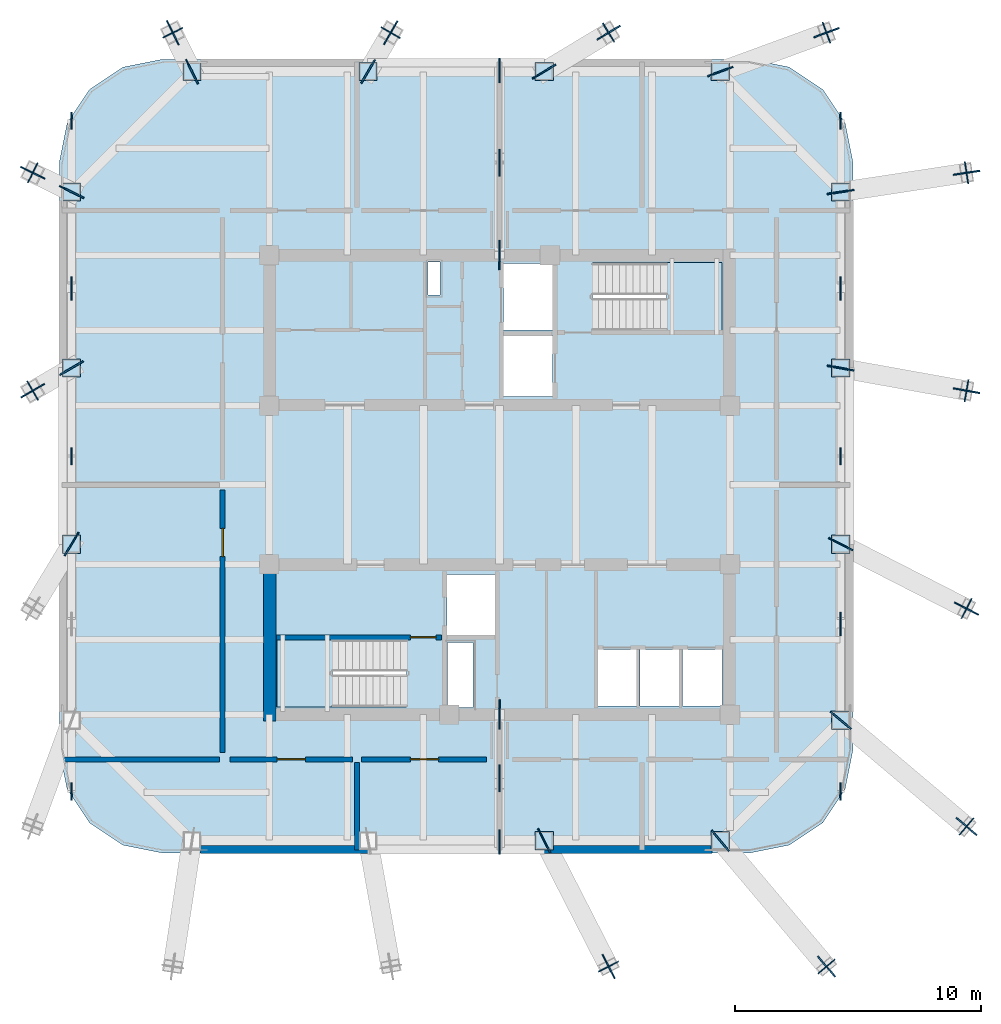
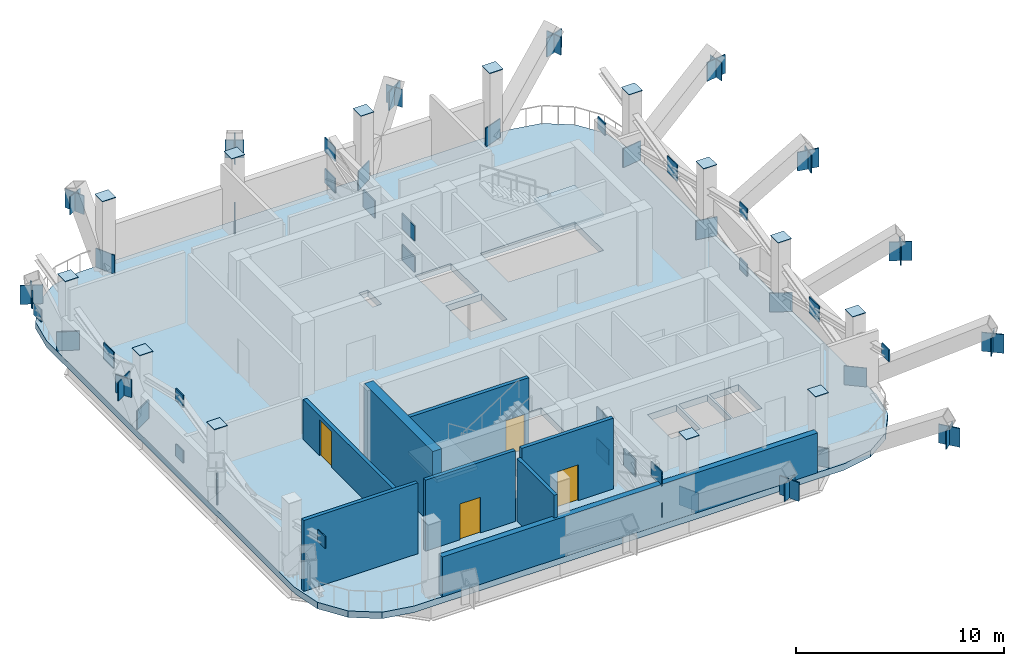
# One storey, part 3 of 9: 71 plates, 8 walls, 4 doors, 3 slabs, 4 openings, 2 elements without a shape of their own.
"""IFC4 building model written with IfcOpenShell, lengths in metres."""

from ifc_helpers import new_model, si_unit, direction, frame, frame_2d, origin, origin_2d, place, context, subcontext, project, spatial, polyline, rectangle, outline, extrude, material, layer, layer_set, type_object, element, fill, aggregate, save


model = new_model("IFC4")

# Units and contexts
model_context = context("Model", 3, precision=1e-05, world=origin(), true_north=direction((0.0, 1.0)))
body_context = subcontext(model_context, "Body", "Model", "MODEL_VIEW")
ifc_project = project(units=[si_unit("LENGTHUNIT", "METRE"), si_unit("AREAUNIT", "SQUARE_METRE"), si_unit("VOLUMEUNIT", "CUBIC_METRE"), si_unit("PLANEANGLEUNIT", "RADIAN"), si_unit("MASSUNIT", "GRAM", prefix="KILO")], contexts=[model_context])

# Site, building, storey
site_placement = place(None, origin())
site = spatial("IfcSite", under=ifc_project, at=site_placement, CompositionType="ELEMENT")
building_placement = place(site_placement, origin())
building = spatial("IfcBuilding", under=site, at=building_placement, Name="Qhalaya Broadcast Tower", CompositionType="ELEMENT")
storey_placement = place(building_placement, frame((0.0, 0.0, 195.14990234375)))
storey = spatial("IfcBuildingStorey", under=building, at=storey_placement, Name="L57", CompositionType="ELEMENT", Elevation=195.14990234375)

# Plates
ifc_material_1 = material(Name="Structural Steel ASTM A572 Grade 50", Category="steel")
ifc_layer_1 = layer(ifc_material_1, 0.054931640625, Name="Structural Steel ASTM A572 Grade 50")
ifc_layer_set_1 = layer_set([ifc_layer_1], Name="Structural Steel ASTM A572 Grade 50")
plate_type_1 = type_object("IfcPlateType", Name="Exoskeleton Diamond Node Gusset Plate NP-01", PredefinedType="USERDEFINED", material=ifc_layer_set_1)
for number, where, z_axis, x_axis, name in (
    (1, (1.813232421875, -13.8798828125, 0.0), (0.0, 0.0, 1.0), (0.455544907234, -0.890212804611, 0.0), "L57 Strut Foot Gusset Plate 03"),
    (2, (4.433349609375, -19.0, 2.800048828125), (0.0, 0.0, 1.0), (0.455544907234, -0.890212804611, 0.0), "L57 Strut Head Gusset Plate 03"),
    (3, (8.97998046875, -13.8798828125, 0.0), (0.0, 0.0, 1.0), (0.644870944213, -0.764291479286, 0.0), "L57 Strut Foot Gusset Plate 04"),
    (4, (13.300048828125, -19.0, 2.800048828125), (0.0, 0.0, 1.0), (0.644870944213, -0.764291479286, 0.0), "L57 Strut Head Gusset Plate 04"),
    (5, (13.8798828125, -8.97998046875, 0.0), (0.0, 0.0, 1.0), (0.764291479286, -0.644870944213, 0.0), "L57 Strut Foot Gusset Plate 05"),
    (6, (19.0, -13.300048828125, 2.800048828125), (0.0, 0.0, 1.0), (0.764291479286, -0.644870944213, 0.0), "L57 Strut Head Gusset Plate 05"),
    (7, (13.8798828125, -1.813232421875, 0.0), (0.0, 0.0, 1.0), (0.890212804611, -0.455544907234, 0.0), "L57 Strut Foot Gusset Plate 06"),
    (8, (19.0, -4.433349609375, 2.800048828125), (0.0, 0.0, 1.0), (0.890212804611, -0.455544907234, 0.0), "L57 Strut Head Gusset Plate 06"),
    (9, (13.8798828125, 5.353271484375, 0.0), (0.0, 0.0, 1.0), (0.984235761889, -0.176861428863, 0.0), "L57 Strut Foot Gusset Plate 07"),
    (10, (19.0, 4.433349609375, 2.800048828125), (0.0, 0.0, 1.0), (0.984235761889, -0.176861428863, 0.0), "L57 Strut Head Gusset Plate 07"),
    (11, (13.8798828125, 12.52001953125, 0.0), (0.0, 0.0, 1.0), (0.988593989373, 0.150605193055, 0.0), "L57 Strut Foot Gusset Plate 08"),
    (12, (19.0, 13.300048828125, 2.800048828125), (0.0, 0.0, 1.0), (0.988593989373, 0.150605193055, 0.0), "L57 Strut Head Gusset Plate 08"),
    (13, (8.97998046875, 17.419921875, 0.0), (0.0, 0.0, 1.0), (0.939154217723, 0.343495786485, 0.0), "L57 Strut Foot Gusset Plate 09"),
    (14, (13.300048828125, 19.0, 2.800048828125), (0.0, 0.0, 1.0), (0.939154217723, 0.343495786485, 0.0), "L57 Strut Head Gusset Plate 09"),
    (15, (1.813232421875, 17.419921875, 0.0), (0.0, 0.0, 1.0), (0.856339197912, 0.516413766393, 0.0), "L57 Strut Foot Gusset Plate 10"),
    (16, (4.433349609375, 19.0, 2.800048828125), (0.0, 0.0, 1.0), (0.856339197912, 0.516413766393, 0.0), "L57 Strut Head Gusset Plate 10"),
    (17, (-5.353271484375, 17.419921875, 0.0), (0.0, 0.0, 1.0), (0.503185866209, 0.864178213129, 0.0), "L57 Strut Foot Gusset Plate 11"),
    (18, (-4.433349609375, 19.0, 2.800048828125), (0.0, 0.0, 1.0), (0.503185866209, 0.864178213129, 0.0), "L57 Strut Head Gusset Plate 11"),
    (19, (-12.52001953125, 17.419921875, 0.0), (0.0, 0.0, 1.0), (-0.442664332582, 0.896687397402, 0.0), "L57 Strut Foot Gusset Plate 12"),
    (20, (-13.300048828125, 19.0, 2.800048828125), (0.0, 0.0, 1.0), (-0.442664332582, 0.896687397402, 0.0), "L57 Strut Head Gusset Plate 12"),
    (21, (-17.419921875, 12.52001953125, 0.0), (0.0, 0.0, 1.0), (-0.896687397402, 0.442664332582, 0.0), "L57 Strut Foot Gusset Plate 13"),
    (22, (-19.0, 13.300048828125, 2.800048828125), (0.0, 0.0, 1.0), (-0.896687397402, 0.442664332582, 0.0), "L57 Strut Head Gusset Plate 13"),
    (23, (-17.419921875, 5.353271484375, 0.0), (0.0, 0.0, 1.0), (-0.864178213129, -0.503185866209, 0.0), "L57 Strut Foot Gusset Plate 14"),
    (24, (-19.0, 4.433349609375, 2.800048828125), (0.0, 0.0, 1.0), (-0.864178213129, -0.503185866209, 0.0), "L57 Strut Head Gusset Plate 14"),
    (25, (-17.419921875, -1.813232421875, 0.0), (0.0, 0.0, 1.0), (-0.516413766393, -0.856339197912, 0.0), "L57 Strut Foot Gusset Plate 15"),
):
    element("IfcPlate", number, at=place(storey_placement, frame(where, z_axis=z_axis, x_axis=x_axis)), inside=storey, type_object=plate_type_1, Name=name, ObjectType="GUSSET_PLATE", PredefinedType="USERDEFINED", context=body_context, shape_type="SweptSolid", body=[
        extrude(rectangle(XDim=1.10009765625, YDim=0.06005859375, at=origin_2d()), origin(), (0.0, 0.0, 1.0), 1.10009765625),
    ])
ifc_layer_2 = layer(ifc_material_1, 0.4599609375, Name="Structural Steel ASTM A572 Grade 50")
ifc_layer_set_2 = layer_set([ifc_layer_2], Name="Structural Steel ASTM A572 Grade 50")
plate_type_2 = type_object("IfcPlateType", Name="Hollow Box Member End Cap Plate CP-01", PredefinedType="USERDEFINED", material=ifc_layer_set_2)
for number, where, z_axis, x_axis, name in (
    (26, (1.813232421875, -13.8798828125, 4.35009765625), (0.0, 0.0, 1.0), (1.0, 0.0, 0.0), "L57 Hollow Box Column Top Cap Plate COL-NK03"),
    (27, (8.97998046875, -13.8798828125, 4.35009765625), (0.0, 0.0, 1.0), (1.0, 0.0, 0.0), "L57 Hollow Box Column Top Cap Plate COL-NK04"),
    (28, (13.8798828125, -8.97998046875, 4.35009765625), (0.0, 0.0, 1.0), (0.0, 1.0, 0.0), "L57 Hollow Box Column Top Cap Plate COL-NK05"),
    (29, (13.8798828125, -1.813232421875, 4.35009765625), (0.0, 0.0, 1.0), (0.0, 1.0, 0.0), "L57 Hollow Box Column Top Cap Plate COL-NK06"),
    (30, (13.8798828125, 5.353271484375, 4.35009765625), (0.0, 0.0, 1.0), (0.0, 1.0, 0.0), "L57 Hollow Box Column Top Cap Plate COL-NK07"),
    (31, (13.8798828125, 12.52001953125, 4.35009765625), (0.0, 0.0, 1.0), (0.0, 1.0, 0.0), "L57 Hollow Box Column Top Cap Plate COL-NK08"),
    (32, (8.97998046875, 17.419921875, 4.35009765625), (0.0, 0.0, 1.0), (1.0, 0.0, 0.0), "L57 Hollow Box Column Top Cap Plate COL-NK09"),
    (33, (1.813232421875, 17.419921875, 4.35009765625), (0.0, 0.0, 1.0), (1.0, 0.0, 0.0), "L57 Hollow Box Column Top Cap Plate COL-NK10"),
    (34, (-5.353271484375, 17.419921875, 4.35009765625), (0.0, 0.0, 1.0), (1.0, 0.0, 0.0), "L57 Hollow Box Column Top Cap Plate COL-NK11"),
    (35, (-12.52001953125, 17.419921875, 4.35009765625), (0.0, 0.0, 1.0), (1.0, 0.0, 0.0), "L57 Hollow Box Column Top Cap Plate COL-NK12"),
    (36, (-17.419921875, 12.52001953125, 4.35009765625), (0.0, 0.0, 1.0), (0.0, 1.0, 0.0), "L57 Hollow Box Column Top Cap Plate COL-NK13"),
    (37, (-17.419921875, 5.353271484375, 4.35009765625), (0.0, 0.0, 1.0), (0.0, 1.0, 0.0), "L57 Hollow Box Column Top Cap Plate COL-NK14"),
    (38, (-17.419921875, -1.813232421875, 4.35009765625), (0.0, 0.0, 1.0), (0.0, 1.0, 0.0), "L57 Hollow Box Column Top Cap Plate COL-NK15"),
):
    element("IfcPlate", number, at=place(storey_placement, frame(where, z_axis=z_axis, x_axis=x_axis)), inside=storey, type_object=plate_type_2, Name=name, ObjectType="COVER_PLATE", PredefinedType="USERDEFINED", context=body_context, shape_type="SweptSolid", body=[
        extrude(rectangle(XDim=0.739990234375, YDim=0.739990234375, at=origin_2d()), origin(), (0.0, 0.0, 1.0), 0.031982421875),
    ])
ifc_layer_3 = layer(ifc_material_1, 0.06005859375, Name="Structural Steel ASTM A572 Grade 50")
ifc_layer_set_3 = layer_set([ifc_layer_3], Name="Structural Steel ASTM A572 Grade 50")
plate_type_3 = type_object("IfcPlateType", Name="Outrigger Core Embed Gusset Plate NP-02", PredefinedType="USERDEFINED", material=ifc_layer_set_3)
for number, where, z_axis, x_axis, name in (
    (39, (0.0, 9.949951171875, 0.400146484375), (0.0, 0.0, 1.0), (0.0, 1.0, 0.0), "L57 Outrigger Gusset Node NC-C0"),
    (40, (0.0, 9.949951171875, 2.230224609375), (0.0, 0.0, 1.0), (0.0, 1.0, 0.0), "L57 Outrigger Gusset Node NC-C1"),
):
    element("IfcPlate", number, at=place(storey_placement, frame(where, z_axis=z_axis, x_axis=x_axis)), inside=storey, type_object=plate_type_3, Name=name, ObjectType="GUSSET_PLATE", PredefinedType="USERDEFINED", context=body_context, shape_type="SweptSolid", body=[
        extrude(rectangle(XDim=1.199951171875, YDim=0.06005859375, at=origin_2d()), origin(), (0.0, 0.0, 1.0), 0.89990234375),
    ])
plate_1_placement = place(storey_placement, frame((0.0, 13.7099609375, 1.26513671875), z_axis=(0.0, 0.0, 1.0), x_axis=(0.0, 1.0, 0.0)))
element("IfcPlate", 41, at=plate_1_placement, inside=storey, type_object=plate_type_3, Name="L57 Outrigger Gusset Node NC-XM", ObjectType="GUSSET_PLATE", PredefinedType="USERDEFINED", context=body_context, shape_type="SweptSolid", body=[
    extrude(rectangle(XDim=1.10009765625, YDim=0.06005859375, at=origin_2d()), origin(), (0.0, 0.0, 1.0), 1.0),
])
for number, where, z_axis, x_axis, name in (
    (42, (0.0, 17.469970703125, 0.425048828125), (0.0, 0.0, 1.0), (0.0, 1.0, 0.0), "L57 Outrigger Gusset Node NC-P0"),
    (43, (0.0, 17.469970703125, 2.255126953125), (0.0, 0.0, 1.0), (0.0, 1.0, 0.0), "L57 Outrigger Gusset Node NC-P1"),
):
    element("IfcPlate", number, at=place(storey_placement, frame(where, z_axis=z_axis, x_axis=x_axis)), inside=storey, type_object=plate_type_3, Name=name, ObjectType="GUSSET_PLATE", PredefinedType="USERDEFINED", context=body_context, shape_type="SweptSolid", body=[
        extrude(rectangle(XDim=1.0, YDim=0.06005859375, at=origin_2d()), origin(), (0.0, 0.0, 1.0), 0.85009765625),
    ])
for number, where, z_axis, x_axis, name in (
    (44, (0.0, -8.75, 0.400146484375), (0.0, 0.0, 1.0), (0.0, -1.0, 0.0), "L57 Outrigger Gusset Node SC-C0"),
    (45, (0.0, -8.75, 2.230224609375), (0.0, 0.0, 1.0), (0.0, -1.0, 0.0), "L57 Outrigger Gusset Node SC-C1"),
):
    element("IfcPlate", number, at=place(storey_placement, frame(where, z_axis=z_axis, x_axis=x_axis)), inside=storey, type_object=plate_type_3, Name=name, ObjectType="GUSSET_PLATE", PredefinedType="USERDEFINED", context=body_context, shape_type="SweptSolid", body=[
        extrude(rectangle(XDim=1.199951171875, YDim=0.06005859375, at=origin_2d()), origin(), (0.0, 0.0, 1.0), 0.89990234375),
    ])
plate_2_placement = place(storey_placement, frame((0.0, -11.340087890625, 1.26513671875), z_axis=(0.0, 0.0, 1.0), x_axis=(0.0, -1.0, 0.0)))
element("IfcPlate", 46, at=plate_2_placement, inside=storey, type_object=plate_type_3, Name="L57 Outrigger Gusset Node SC-XM", ObjectType="GUSSET_PLATE", PredefinedType="USERDEFINED", context=body_context, shape_type="SweptSolid", body=[
    extrude(rectangle(XDim=1.10009765625, YDim=0.06005859375, at=origin_2d()), origin(), (0.0, 0.0, 1.0), 1.0),
])
for number, where, z_axis, x_axis, name in (
    (47, (0.0, -13.929931640625, 0.425048828125), (0.0, 0.0, 1.0), (0.0, -1.0, 0.0), "L57 Outrigger Gusset Node SC-P0"),
    (48, (0.0, -13.929931640625, 2.255126953125), (0.0, 0.0, 1.0), (0.0, -1.0, 0.0), "L57 Outrigger Gusset Node SC-P1"),
):
    element("IfcPlate", number, at=place(storey_placement, frame(where, z_axis=z_axis, x_axis=x_axis)), inside=storey, type_object=plate_type_3, Name=name, ObjectType="GUSSET_PLATE", PredefinedType="USERDEFINED", context=body_context, shape_type="SweptSolid", body=[
        extrude(rectangle(XDim=1.0, YDim=0.06005859375, at=origin_2d()), origin(), (0.0, 0.0, 1.0), 0.85009765625),
    ])
for number, where, z_axis, x_axis, name in (
    (49, (-17.419921875, -11.8798828125, 3.3603515625), (0.0, 0.0, 1.0), (0.0, 1.0, 0.0), "L57 Belt Truss End Gusset W1-B1T"),
    (50, (-17.419921875, 1.77001953125, 0.10009765625), (0.0, 0.0, 1.0), (0.0, 1.0, 0.0), "L57 Belt Truss End Gusset W1-B2B"),
):
    element("IfcPlate", number, at=place(storey_placement, frame(where, z_axis=z_axis, x_axis=x_axis)), inside=storey, type_object=plate_type_3, Name=name, ObjectType="GUSSET_PLATE", PredefinedType="USERDEFINED", context=body_context, shape_type="SweptSolid", body=[
        extrude(rectangle(XDim=0.699951171875, YDim=0.06005859375, at=origin_2d()), origin(), (0.0, 0.0, 1.0), 0.699951171875),
    ])
plate_3_placement = place(storey_placement, frame((-17.419921875, 8.594970703125, 1.60498046875), z_axis=(0.0, 0.0, 1.0), x_axis=(0.0, 1.0, 0.0)))
element("IfcPlate", 51, at=plate_3_placement, inside=storey, type_object=plate_type_3, Name="L57 Belt Truss X-Crossing Gusset W2", ObjectType="GUSSET_PLATE", PredefinedType="USERDEFINED", context=body_context, shape_type="SweptSolid", body=[
    extrude(rectangle(XDim=0.949951171875, YDim=0.06005859375, at=origin_2d()), origin(), (0.0, 0.0, 1.0), 0.949951171875),
])
for number, where, z_axis, x_axis, name in (
    (52, (-17.419921875, 1.77001953125, 3.3603515625), (0.0, 0.0, 1.0), (0.0, 1.0, 0.0), "L57 Belt Truss End Gusset W2-B1T"),
    (53, (-17.419921875, 15.419921875, 0.10009765625), (0.0, 0.0, 1.0), (0.0, 1.0, 0.0), "L57 Belt Truss End Gusset W2-B2B"),
):
    element("IfcPlate", number, at=place(storey_placement, frame(where, z_axis=z_axis, x_axis=x_axis)), inside=storey, type_object=plate_type_3, Name=name, ObjectType="GUSSET_PLATE", PredefinedType="USERDEFINED", context=body_context, shape_type="SweptSolid", body=[
        extrude(rectangle(XDim=0.699951171875, YDim=0.06005859375, at=origin_2d()), origin(), (0.0, 0.0, 1.0), 0.699951171875),
    ])
plate_4_placement = place(storey_placement, frame((13.8798828125, -5.054931640625, 1.60498046875), z_axis=(0.0, 0.0, 1.0), x_axis=(0.0, 1.0, 0.0)))
element("IfcPlate", 54, at=plate_4_placement, inside=storey, type_object=plate_type_3, Name="L57 Belt Truss X-Crossing Gusset E1", ObjectType="GUSSET_PLATE", PredefinedType="USERDEFINED", context=body_context, shape_type="SweptSolid", body=[
    extrude(rectangle(XDim=0.949951171875, YDim=0.06005859375, at=origin_2d()), origin(), (0.0, 0.0, 1.0), 0.949951171875),
])
for number, where, z_axis, x_axis, name in (
    (55, (13.8798828125, -11.8798828125, 3.3603515625), (0.0, 0.0, 1.0), (0.0, 1.0, 0.0), "L57 Belt Truss End Gusset E1-B1T"),
    (56, (13.8798828125, 1.77001953125, 0.10009765625), (0.0, 0.0, 1.0), (0.0, 1.0, 0.0), "L57 Belt Truss End Gusset E1-B2B"),
):
    element("IfcPlate", number, at=place(storey_placement, frame(where, z_axis=z_axis, x_axis=x_axis)), inside=storey, type_object=plate_type_3, Name=name, ObjectType="GUSSET_PLATE", PredefinedType="USERDEFINED", context=body_context, shape_type="SweptSolid", body=[
        extrude(rectangle(XDim=0.699951171875, YDim=0.06005859375, at=origin_2d()), origin(), (0.0, 0.0, 1.0), 0.699951171875),
    ])
plate_5_placement = place(storey_placement, frame((13.8798828125, 8.594970703125, 1.60498046875), z_axis=(0.0, 0.0, 1.0), x_axis=(0.0, 1.0, 0.0)))
element("IfcPlate", 57, at=plate_5_placement, inside=storey, type_object=plate_type_3, Name="L57 Belt Truss X-Crossing Gusset E2", ObjectType="GUSSET_PLATE", PredefinedType="USERDEFINED", context=body_context, shape_type="SweptSolid", body=[
    extrude(rectangle(XDim=0.949951171875, YDim=0.06005859375, at=origin_2d()), origin(), (0.0, 0.0, 1.0), 0.949951171875),
])
for number, where, z_axis, x_axis, name in (
    (58, (13.8798828125, 1.77001953125, 3.3603515625), (0.0, 0.0, 1.0), (0.0, 1.0, 0.0), "L57 Belt Truss End Gusset E2-B1T"),
    (59, (13.8798828125, 15.419921875, 0.10009765625), (0.0, 0.0, 1.0), (0.0, 1.0, 0.0), "L57 Belt Truss End Gusset E2-B2B"),
):
    element("IfcPlate", number, at=place(storey_placement, frame(where, z_axis=z_axis, x_axis=x_axis)), inside=storey, type_object=plate_type_3, Name=name, ObjectType="GUSSET_PLATE", PredefinedType="USERDEFINED", context=body_context, shape_type="SweptSolid", body=[
        extrude(rectangle(XDim=0.699951171875, YDim=0.06005859375, at=origin_2d()), origin(), (0.0, 0.0, 1.0), 0.699951171875),
    ])

# Stair, slab
ifc_material_2 = material(Name="Concrete C40/50", Category="concrete")
stair_type = type_object("IfcStairType", Name="Protected Dogleg Core Stair 4200", PredefinedType="TWO_STRAIGHT_RUN_STAIR", material=ifc_material_2)
stair_1_placement = place(storey_placement, origin())
stair_1 = element("IfcStair", 60, at=stair_1_placement, inside=storey, type_object=stair_type, Name="L57 North Core Exit Stair ST-1", PredefinedType="TWO_STRAIGHT_RUN_STAIR")
ifc_layer_4 = layer(ifc_material_2, 0.199951171875, Name="Concrete C40/50")
ifc_layer_set_4 = layer_set([ifc_layer_4], Name="Concrete C40/50")
slab_type_1 = type_object("IfcSlabType", Name="Stair & Ramp Half-Landing Slab 200", PredefinedType="LANDING", material=ifc_layer_set_4)
slab_1_placement = place(storey_placement, frame((0.0, 0.0, 1.97509765625)))
slab_1 = element("IfcSlab", 61, at=slab_1_placement, type_object=slab_type_1, Name="ST-1 landing 1", PredefinedType="LANDING", context=body_context, shape_type="SweptSolid", body=[
    extrude(outline(polyline([(6.794921875, 6.8798828125), (9.050048828125, 6.8798828125), (9.050048828125, 9.639892578125), (6.794921875, 9.639892578125), (6.794921875, 6.8798828125)])), origin(), (0.0, 0.0, 1.0), 0.199951171875),
])
aggregate(stair_1, [slab_1])

stair_2_placement = place(storey_placement, origin())
stair_2 = element("IfcStair", 62, at=stair_2_placement, inside=storey, type_object=stair_type, Name="L57 South Core Exit Stair ST-2", PredefinedType="TWO_STRAIGHT_RUN_STAIR")
slab_2_placement = place(storey_placement, frame((0.0, 0.0, 1.97509765625)))
slab_2 = element("IfcSlab", 63, at=slab_2_placement, type_object=slab_type_1, Name="ST-2 landing 1", PredefinedType="LANDING", context=body_context, shape_type="SweptSolid", body=[
    extrude(outline(polyline([(-6.794921875, -5.679931640625), (-9.050048828125, -5.679931640625), (-9.050048828125, -8.43994140625), (-6.794921875, -8.43994140625), (-6.794921875, -5.679931640625)])), origin(), (0.0, 0.0, 1.0), 0.199951171875),
])
aggregate(stair_2, [slab_2])

# Slab
ifc_layer_5 = layer(ifc_material_2, 0.3798828125, Name="Concrete C40/50")
ifc_layer_set_5 = layer_set([ifc_layer_5], Name="Concrete C40/50")
slab_type_2 = type_object("IfcSlabType", Name="Transfer & Sky-Pool Structural Deck Slab 380", PredefinedType="FLOOR", material=ifc_layer_set_5)
slab_3_placement = place(storey_placement, frame((0.0, 0.0, -0.3798828125)))
element("IfcSlab", 64, at=slab_3_placement, inside=storey, type_object=slab_type_2, Name="L57 Main Structural Floor Slab", PredefinedType="FLOOR", context=body_context, shape_type="SweptSolid", body=[
    extrude(outline(polyline([(10.179931640625, -14.3798828125), (11.787353515625, -14.060302734375), (13.14990234375, -13.14990234375), (14.060302734375, -11.787353515625), (14.3798828125, -10.179931640625), (14.3798828125, 13.719970703125), (14.060302734375, 15.327392578125), (13.14990234375, 16.689697265625), (11.787353515625, 17.600341796875), (10.179931640625, 17.919921875), (-13.719970703125, 17.919921875), (-15.327392578125, 17.600341796875), (-16.689697265625, 16.689697265625), (-17.600341796875, 15.327392578125), (-17.919921875, 13.719970703125), (-17.919921875, -10.179931640625), (-17.600341796875, -11.787353515625), (-16.689697265625, -13.14990234375), (-15.327392578125, -14.060302734375), (-13.719970703125, -14.3798828125), (10.179931640625, -14.3798828125)]), holes=[polyline([(3.784912109375, 9.639892578125), (9.050048828125, 9.639892578125), (9.050048828125, 6.8798828125), (3.784912109375, 6.8798828125), (3.784912109375, 9.639892578125)]), polyline([(-3.784912109375, -8.43994140625), (-9.050048828125, -8.43994140625), (-9.050048828125, -5.679931640625), (-3.784912109375, -5.679931640625), (-3.784912109375, -8.43994140625)]), polyline([(0.14990234375, 6.64990234375), (2.14990234375, 6.64990234375), (2.14990234375, 4.199951171875), (0.14990234375, 4.199951171875), (0.14990234375, 6.64990234375)]), polyline([(0.14990234375, 9.60009765625), (2.14990234375, 9.60009765625), (2.14990234375, 6.89990234375), (0.14990234375, 6.89990234375), (0.14990234375, 9.60009765625)]), polyline([(-2.14990234375, -3.050048828125), (-0.14990234375, -3.050048828125), (-0.14990234375, -5.5), (-2.14990234375, -5.5), (-2.14990234375, -3.050048828125)]), polyline([(4.0, -6.10009765625), (5.60009765625, -6.10009765625), (5.60009765625, -8.39990234375), (4.0, -8.39990234375), (4.0, -6.10009765625)]), polyline([(5.719970703125, -6.10009765625), (7.320068359375, -6.10009765625), (7.320068359375, -8.39990234375), (5.719970703125, -8.39990234375), (5.719970703125, -6.10009765625)]), polyline([(7.43994140625, -6.10009765625), (9.0400390625, -6.10009765625), (9.0400390625, -8.39990234375), (7.43994140625, -8.39990234375), (7.43994140625, -6.10009765625)]), polyline([(-2.919921875, 9.659912109375), (-2.419921875, 9.659912109375), (-2.419921875, 8.320068359375), (-2.919921875, 8.320068359375), (-2.919921875, 9.659912109375)]), polyline([(-2.1201171875, -5.820068359375), (-1.080078125, -5.820068359375), (-1.080078125, -8.4599609375), (-2.1201171875, -8.4599609375), (-2.1201171875, -5.820068359375)])]), origin(), (0.0, 0.0, 1.0), 0.3798828125),
])

# Plates
ifc_layer_6 = layer(ifc_material_1, 0.044921875, Name="Structural Steel ASTM A572 Grade 50")
ifc_layer_set_6 = layer_set([ifc_layer_6], Name="Structural Steel ASTM A572 Grade 50")
plate_type_4 = type_object("IfcPlateType", Name="Transfer Girder Web Stiffener Plate WS-01", PredefinedType="USERDEFINED", material=ifc_layer_set_6)
for number, where, z_axis, x_axis, name in (
    (65, (4.433349609375, -19.0, 2.8251953125), (0.0, 0.0, 1.0), (0.890212804611, 0.455544907234, 0.0), "L57 Strut Head Cross Diaphragm Plate 03"),
    (66, (13.300048828125, -19.0, 2.8251953125), (0.0, 0.0, 1.0), (0.764291479286, 0.644870944213, 0.0), "L57 Strut Head Cross Diaphragm Plate 04"),
    (67, (19.0, -13.300048828125, 2.8251953125), (0.0, 0.0, 1.0), (0.644870944213, 0.764291479286, 0.0), "L57 Strut Head Cross Diaphragm Plate 05"),
    (68, (19.0, -4.433349609375, 2.8251953125), (0.0, 0.0, 1.0), (0.455544907234, 0.890212804611, 0.0), "L57 Strut Head Cross Diaphragm Plate 06"),
    (69, (19.0, 4.433349609375, 2.8251953125), (0.0, 0.0, 1.0), (0.176861428863, 0.984235761889, 0.0), "L57 Strut Head Cross Diaphragm Plate 07"),
    (70, (19.0, 13.300048828125, 2.8251953125), (0.0, 0.0, 1.0), (-0.150605193055, 0.988593989373, 0.0), "L57 Strut Head Cross Diaphragm Plate 08"),
    (71, (13.300048828125, 19.0, 2.8251953125), (0.0, 0.0, 1.0), (-0.343495786485, 0.939154217723, 0.0), "L57 Strut Head Cross Diaphragm Plate 09"),
    (72, (4.433349609375, 19.0, 2.8251953125), (0.0, 0.0, 1.0), (-0.516413766393, 0.856339197912, 0.0), "L57 Strut Head Cross Diaphragm Plate 10"),
    (73, (-4.433349609375, 19.0, 2.8251953125), (0.0, 0.0, 1.0), (-0.864178213129, 0.503185866209, 0.0), "L57 Strut Head Cross Diaphragm Plate 11"),
    (74, (-13.300048828125, 19.0, 2.8251953125), (0.0, 0.0, 1.0), (-0.896687397402, -0.442664332582, 0.0), "L57 Strut Head Cross Diaphragm Plate 12"),
    (75, (-19.0, 13.300048828125, 2.8251953125), (0.0, 0.0, 1.0), (-0.442664332582, -0.896687397402, 0.0), "L57 Strut Head Cross Diaphragm Plate 13"),
    (76, (-19.0, 4.433349609375, 2.8251953125), (0.0, 0.0, 1.0), (0.503185866209, -0.864178213129, 0.0), "L57 Strut Head Cross Diaphragm Plate 14"),
):
    element("IfcPlate", number, at=place(storey_placement, frame(where, z_axis=z_axis, x_axis=x_axis)), inside=storey, type_object=plate_type_4, Name=name, ObjectType="STIFFENER_PLATE", PredefinedType="USERDEFINED", context=body_context, shape_type="SweptSolid", body=[
        extrude(rectangle(XDim=0.89990234375, YDim=0.044921875, at=origin_2d()), origin(), (0.0, 0.0, 1.0), 1.050048828125),
    ])

# Wall, opening, door
ifc_material_3 = material(Name="Gypsum Acoustic Partition")
ifc_layer_7 = layer(ifc_material_3, 0.199951171875, Name="Gypsum Acoustic Partition")
ifc_layer_set_7 = layer_set([ifc_layer_7], Name="Gypsum Acoustic Partition")
wall_type_1 = type_object("IfcWallType", Name="Firefighting Lobby & Stair Enclosure Wall 200", PredefinedType="PARTITIONING", material=ifc_layer_set_7)
wall_1_placement = place(storey_placement, frame((-10.969970703125, -10.570068359375, 0.0), z_axis=(0.0, 0.0, 1.0), x_axis=(1.0, 0.0, 0.0)))
wall_1 = element("IfcWall", 77, at=wall_1_placement, inside=storey, type_object=wall_type_1, Name="L57 Partition Wall W-PCS0", PredefinedType="PARTITIONING", context=body_context, shape_type="SweptSolid", body=[
    extrude(rectangle(XDim=4.989990234375, YDim=0.199951171875, at=frame_2d((2.4951171875, 0.0))), origin(), (0.0, 0.0, 1.0), 4.16015625),
])
opening_1_placement = place(wall_1_placement, frame((1.919921875, 0.0, 0.0)))
opening_1 = element("IfcOpeningElement", 78, at=opening_1_placement, cuts=wall_1, Name="Opening D05", PredefinedType="OPENING", context=body_context, shape_type="SweptSolid", body=[
    extrude(rectangle(XDim=1.14990234375, YDim=2.10009765625, at=frame_2d((0.574951171875, 1.050048828125))), frame((0.0, 0.112060546875, 0.0), z_axis=(0.0, -1.0, 0.0), x_axis=(1.0, 0.0, 0.0)), (0.0, 0.0, 1.0), 0.223876953125),
])
ifc_material_4 = material(Name="Fire-Rated Steel Door", Category="steel")
door_type_1 = type_object("IfcDoorType", Name="Refuge & Plant Room Fire Door D05", OperationType="NOTDEFINED", PredefinedType="DOOR", material=ifc_material_4)
door_1_placement = place(opening_1_placement, origin())
door_1 = element("IfcDoor", 79, at=door_1_placement, inside=storey, type_object=door_type_1, Name="L57 Door D-PCS0", OperationType="SINGLE_SWING_RIGHT", OverallHeight=2.10009765625, OverallWidth=1.14990234375, PredefinedType="DOOR", context=body_context, shape_type="SweptSolid", body=[
    extrude(rectangle(XDim=1.14990234375, YDim=2.10009765625, at=frame_2d((0.574951171875, 1.050048828125))), frame((0.0, 0.02490234375, 0.0), z_axis=(0.0, -1.0, 0.0), x_axis=(1.0, 0.0, 0.0)), (0.0, 0.0, 1.0), 0.050048828125),
])
fill(opening_1, door_1)

# Wall
wall_2_placement = place(storey_placement, frame((-5.800048828125, -14.260009765625, 0.0), z_axis=(0.0, 0.0, 1.0), x_axis=(0.0, 1.0, 0.0)))
element("IfcWall", 80, at=wall_2_placement, inside=storey, type_object=wall_type_1, Name="L57 Partition Wall W-PDS1", PredefinedType="PARTITIONING", context=body_context, shape_type="SweptSolid", body=[
    extrude(rectangle(XDim=3.570068359375, YDim=0.199951171875, at=frame_2d((1.78515625, 0.0))), origin(), (0.0, 0.0, 1.0), 3.68115234375),
])

# Wall, opening, door
wall_3_placement = place(storey_placement, frame((-5.6201171875, -10.570068359375, 0.0), z_axis=(0.0, 0.0, 1.0), x_axis=(1.0, 0.0, 0.0)))
wall_3 = element("IfcWall", 81, at=wall_3_placement, inside=storey, type_object=wall_type_1, Name="L57 Partition Wall W-PCS1", PredefinedType="PARTITIONING", context=body_context, shape_type="SweptSolid", body=[
    extrude(rectangle(XDim=5.090087890625, YDim=0.199951171875, at=frame_2d((2.544921875, 0.0))), origin(), (0.0, 0.0, 1.0), 4.16015625),
])
opening_2_placement = place(wall_3_placement, frame((1.989990234375, 0.0, 0.0)))
opening_2 = element("IfcOpeningElement", 82, at=opening_2_placement, cuts=wall_3, Name="Opening D05", PredefinedType="OPENING", context=body_context, shape_type="SweptSolid", body=[
    extrude(rectangle(XDim=1.14990234375, YDim=2.10009765625, at=frame_2d((0.574951171875, 1.050048828125))), frame((0.0, 0.112060546875, 0.0), z_axis=(0.0, -1.0, 0.0), x_axis=(1.0, 0.0, 0.0)), (0.0, 0.0, 1.0), 0.223876953125),
])
door_2_placement = place(opening_2_placement, origin())
door_2 = element("IfcDoor", 83, at=door_2_placement, inside=storey, type_object=door_type_1, Name="L57 Door D-PCS1", OperationType="SINGLE_SWING_RIGHT", OverallHeight=2.10009765625, OverallWidth=1.14990234375, PredefinedType="DOOR", context=body_context, shape_type="SweptSolid", body=[
    extrude(rectangle(XDim=1.14990234375, YDim=2.10009765625, at=frame_2d((0.574951171875, 1.050048828125))), frame((0.0, 0.02490234375, 0.0), z_axis=(0.0, -1.0, 0.0), x_axis=(1.0, 0.0, 0.0)), (0.0, 0.0, 1.0), 0.050048828125),
])
fill(opening_2, door_2)

# Wall
wall_4_placement = place(storey_placement, frame((-17.72021484375, -10.570068359375, 0.0), z_axis=(0.0, 0.0, 1.0), x_axis=(1.0, 0.0, 0.0)))
element("IfcWall", 84, at=wall_4_placement, inside=storey, type_object=wall_type_1, Name="L57 Partition Wall W-PBSW", PredefinedType="PARTITIONING", context=body_context, shape_type="SweptSolid", body=[
    extrude(rectangle(XDim=6.330322265625, YDim=0.199951171875, at=frame_2d((3.1650390625, 0.0))), origin(), (0.0, 0.0, 1.0), 4.16015625),
])

# Wall, opening, door
wall_5_placement = place(storey_placement, frame((-11.27001953125, 0.389892578125, 0.0), z_axis=(0.0, 0.0, 1.0), x_axis=(0.0, -1.0, 0.0)))
wall_5 = element("IfcWall", 85, at=wall_5_placement, inside=storey, type_object=wall_type_1, Name="L57 Partition Wall W-PCW1", PredefinedType="PARTITIONING", context=body_context, shape_type="SweptSolid", body=[
    extrude(rectangle(XDim=10.679931640625, YDim=0.199951171875, at=frame_2d((5.33984375, 0.0))), origin(), (0.0, 0.0, 1.0), 2.340087890625),
])
opening_3_placement = place(wall_5_placement, frame((1.56103515625, 0.0, 0.0)))
opening_3 = element("IfcOpeningElement", 86, at=opening_3_placement, cuts=wall_5, Name="Opening D05", PredefinedType="OPENING", context=body_context, shape_type="SweptSolid", body=[
    extrude(rectangle(XDim=1.14990234375, YDim=2.10009765625, at=frame_2d((0.574951171875, 1.050048828125))), frame((0.0, 0.112060546875, 0.0), z_axis=(0.0, -1.0, 0.0), x_axis=(1.0, 0.0, 0.0)), (0.0, 0.0, 1.0), 0.223876953125),
])
door_3_placement = place(opening_3_placement, origin())
door_3 = element("IfcDoor", 87, at=door_3_placement, inside=storey, type_object=door_type_1, Name="L57 Door D-PCW1", OperationType="SINGLE_SWING_LEFT", OverallHeight=2.10009765625, OverallWidth=1.14990234375, PredefinedType="DOOR", context=body_context, shape_type="SweptSolid", body=[
    extrude(rectangle(XDim=1.14990234375, YDim=2.10009765625, at=frame_2d((0.574951171875, 1.050048828125))), frame((0.0, 0.02490234375, 0.0), z_axis=(0.0, -1.0, 0.0), x_axis=(1.0, 0.0, 0.0)), (0.0, 0.0, 1.0), 0.050048828125),
])
fill(opening_3, door_3)

ifc_material_5 = material(Name="Concrete C50/60", Category="concrete")
ifc_layer_8 = layer(ifc_material_5, 0.199951171875, Name="Concrete C50/60")
ifc_layer_set_8 = layer_set([ifc_layer_8], Name="Concrete C50/60")
wall_type_2 = type_object("IfcWallType", Name="Load-Bearing Stair Shaft Wall 200", PredefinedType="SHEAR", material=ifc_layer_set_8)
wall_6_placement = place(storey_placement, frame((-9.080078125, -5.60498046875, 0.0), z_axis=(0.0, 0.0, 1.0), x_axis=(1.0, 0.0, 0.0)))
wall_6 = element("IfcWall", 88, at=wall_6_placement, inside=storey, type_object=wall_type_2, Name="L57 Stair Core Shear Wall SCW-ST2", PredefinedType="SHEAR", context=body_context, shape_type="SweptSolid", body=[
    extrude(rectangle(XDim=6.719970703125, YDim=0.199951171875, at=frame_2d((3.35986328125, 0.0))), origin(), (0.0, 0.0, 1.0), 4.16015625),
])
opening_4_placement = place(wall_6_placement, frame((5.449951171875, 0.0, 0.0)))
opening_4 = element("IfcOpeningElement", 89, at=opening_4_placement, cuts=wall_6, Name="Opening D03", PredefinedType="OPENING", context=body_context, shape_type="SweptSolid", body=[
    extrude(rectangle(XDim=1.050048828125, YDim=2.080078125, at=frame_2d((0.52490234375, 1.0400390625))), frame((0.0, 0.112060546875, 0.0), z_axis=(0.0, -1.0, 0.0), x_axis=(1.0, 0.0, 0.0)), (0.0, 0.0, 1.0), 0.223876953125),
])
door_type_2 = type_object("IfcDoorType", Name="Core Stair Protected Fire Door D03", OperationType="NOTDEFINED", PredefinedType="DOOR", material=ifc_material_4)
door_4_placement = place(opening_4_placement, origin())
door_4 = element("IfcDoor", 90, at=door_4_placement, inside=storey, type_object=door_type_2, Name="L57 Door D-SST2", OperationType="SINGLE_SWING_RIGHT", OverallHeight=2.080078125, OverallWidth=1.050048828125, PredefinedType="DOOR", context=body_context, shape_type="SweptSolid", body=[
    extrude(rectangle(XDim=1.050048828125, YDim=2.080078125, at=frame_2d((0.52490234375, 1.0400390625))), frame((0.0, 0.02490234375, 0.0), z_axis=(0.0, -1.0, 0.0), x_axis=(1.0, 0.0, 0.0)), (0.0, 0.0, 1.0), 0.050048828125),
])
fill(opening_4, door_4)

# Walls
ifc_layer_9 = layer(ifc_material_5, 0.5, Name="Concrete C50/60")
ifc_layer_set_9 = layer_set([ifc_layer_9], Name="Concrete C50/60")
wall_type_3 = type_object("IfcWallType", Name="Mid Split-Core Shear Wall 500", PredefinedType="SHEAR", material=ifc_layer_set_9)
wall_7_placement = place(storey_placement, frame((-9.35009765625, -9.0, 0.0), z_axis=(0.0, 0.0, 1.0), x_axis=(0.0, 1.0, 0.0)))
element("IfcWall", 91, at=wall_7_placement, inside=storey, type_object=wall_type_3, Name="L57 Split-Core Shear Wall CW-SW", PredefinedType="SHEAR", context=body_context, shape_type="SweptSolid", body=[
    extrude(rectangle(XDim=6.60009765625, YDim=0.5, at=frame_2d((3.300048828125, 0.0))), origin(), (0.0, 0.0, 1.0), 4.35009765625),
])
ifc_material_6 = material(Name="Precast Concrete C40/50", Category="concrete")
ifc_layer_10 = layer(ifc_material_6, 0.320068359375, Name="Precast Concrete C40/50")
ifc_layer_set_10 = layer_set([ifc_layer_10], Name="Precast Concrete C40/50")
wall_type_4 = type_object("IfcWallType", Name="Recessed Neck Insulated Exterior Wall 320", PredefinedType="SOLIDWALL", material=ifc_layer_set_10)
wall_8_placement = place(storey_placement, frame((8.64208984375, -14.239990234375, 0.0), z_axis=(0.0, 0.0, 1.0), x_axis=(-1.0, 0.0, 0.0)))
element("IfcWall", 92, at=wall_8_placement, inside=storey, type_object=wall_type_4, Name="L57 Exterior Facade Wall S", PredefinedType="SOLIDWALL", context=body_context, shape_type="SweptSolid", body=[
    extrude(rectangle(XDim=20.823974609375, YDim=0.320068359375, at=frame_2d((10.412109375, 0.0))), origin(), (0.0, 0.0, 1.0), 2.340087890625),
])

save(model, "model.ifc")
